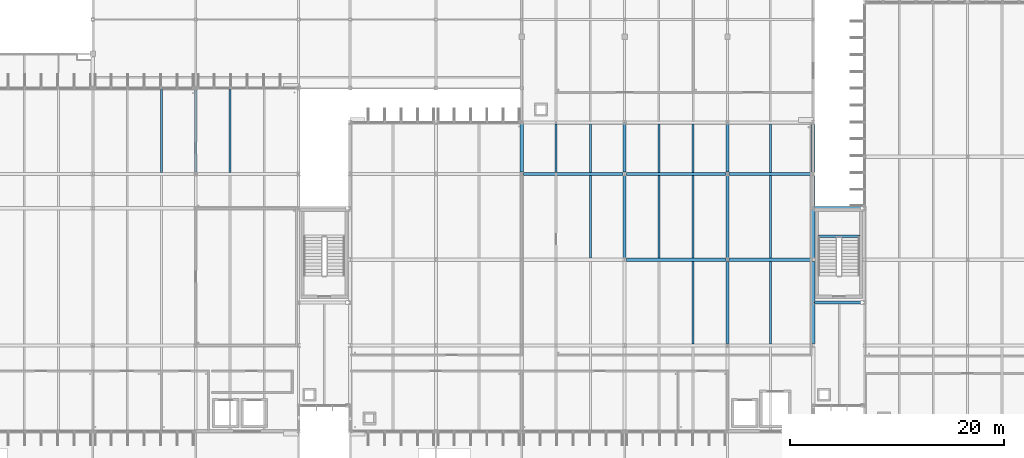
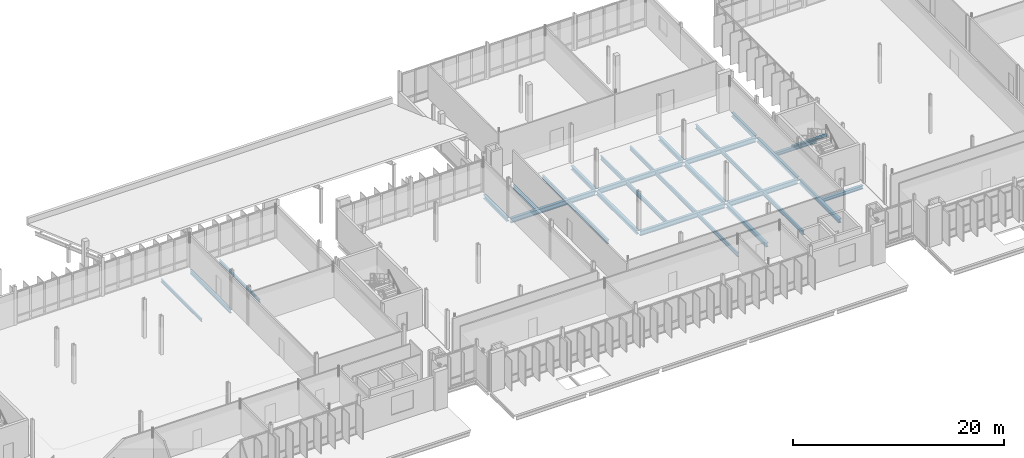
# One storey, part 30 of 107: 31 beams.
"""IFC4 building model written with IfcOpenShell, lengths in metres."""

from ifc_helpers import new_model, si_unit, direction, frame, origin, origin_2d, place, context, subcontext, project, spatial, i_section, extrude, material, material_profile, profile_set, type_object, element, save


model = new_model("IFC4")

# Units and contexts
model_context = context("Model", 3, precision=1e-05, world=origin(), true_north=direction((0.0, 1.0)))
body_context = subcontext(model_context, "Body", "Model", "MODEL_VIEW")
ifc_project = project(units=[si_unit("LENGTHUNIT", "METRE"), si_unit("AREAUNIT", "SQUARE_METRE"), si_unit("VOLUMEUNIT", "CUBIC_METRE"), si_unit("PLANEANGLEUNIT", "RADIAN"), si_unit("MASSUNIT", "GRAM", prefix="KILO")], contexts=[model_context])

# Site, building, storey
site_placement = place(None, origin())
site = spatial("IfcSite", under=ifc_project, at=site_placement, CompositionType="ELEMENT")
building_placement = place(site_placement, origin())
building = spatial("IfcBuilding", under=site, at=building_placement, Name="Dunescarp Central Library", CompositionType="ELEMENT")
storey_placement = place(building_placement, frame((0.0, 0.0, 5.10009765625)))
storey = spatial("IfcBuildingStorey", under=building, at=storey_placement, Name="L01", CompositionType="ELEMENT", Elevation=5.10009765625)

# Beams
ifc_material = material(Name="Steel S355JR", Category="steel")
ifc_material_profile_1 = material_profile(ifc_material, i_section(OverallWidth=0.300048828125, OverallDepth=0.389892578125, WebThickness=0.010986328125, FlangeThickness=0.01904296875, at=origin_2d()), Name="HEA 400")
ifc_profile_set_1 = profile_set([ifc_material_profile_1], Name="Steel S355JR")
beam_type_1 = type_object("IfcBeamType", Name="STR-BM-HEA400", PredefinedType="BEAM", material=ifc_profile_set_1)
for number, where, z_axis, x_axis, name in (
    (1, (124.927978515625, 16.800048828125, -0.4150390625), (1.0, 0.0, 0.0), (0.0, 1.0, 0.0), "L01 girder BM-L01-1258"),
    (2, (124.927978515625, 25.60009765625, -0.4150390625), (1.0, 0.0, 0.0), (0.0, 1.0, 0.0), "L01 girder BM-L01-1260"),
):
    element("IfcBeam", number, at=place(storey_placement, frame(where, z_axis=z_axis, x_axis=x_axis)), inside=storey, type_object=beam_type_1, Name=name, PredefinedType="BEAM", context=body_context, shape_type="SweptSolid", body=[
        extrude(i_section(OverallWidth=0.300048828125, OverallDepth=0.389892578125, WebThickness=0.010986328125, FlangeThickness=0.01904296875, at=origin_2d()), origin(), (0.0, 0.0, 1.0), 4.547119140625),
    ])
ifc_material_profile_2 = material_profile(ifc_material, i_section(OverallWidth=0.300048828125, OverallDepth=0.449951171875, WebThickness=0.013916015625, FlangeThickness=0.02587890625, at=origin_2d()), Name="HEB 450")
ifc_profile_set_2 = profile_set([ifc_material_profile_2], Name="Steel S355JR")
beam_type_2 = type_object("IfcBeamType", Name="STR-BM-HEB450", PredefinedType="BEAM", material=ifc_profile_set_2)
beam_1_placement = place(storey_placement, frame((97.60009765625, 28.967041015625, -0.445068359375), z_axis=(0.0, 1.0, 0.0), x_axis=(-1.0, 0.0, 0.0)))
element("IfcBeam", 3, at=beam_1_placement, inside=storey, type_object=beam_type_2, Name="L01 girder BM-L01-0683", PredefinedType="BEAM", context=body_context, shape_type="SweptSolid", body=[
    extrude(i_section(OverallWidth=0.300048828125, OverallDepth=0.449951171875, WebThickness=0.013916015625, FlangeThickness=0.02587890625, at=origin_2d()), origin(), (0.0, 0.0, 1.0), 4.466064453125),
])
beam_2_placement = place(storey_placement, frame((107.199951171875, 20.967041015625, -0.445068359375), z_axis=(0.0, 1.0, 0.0), x_axis=(-1.0, 0.0, 0.0)))
element("IfcBeam", 4, at=beam_2_placement, inside=storey, type_object=beam_type_2, Name="L01 girder BM-L01-0695", PredefinedType="BEAM", context=body_context, shape_type="SweptSolid", body=[
    extrude(i_section(OverallWidth=0.300048828125, OverallDepth=0.449951171875, WebThickness=0.013916015625, FlangeThickness=0.02587890625, at=origin_2d()), origin(), (0.0, 0.0, 1.0), 7.666015625),
])
beam_3_placement = place(storey_placement, frame((107.199951171875, 28.967041015625, -0.445068359375), z_axis=(0.0, 1.0, 0.0), x_axis=(-1.0, 0.0, 0.0)))
element("IfcBeam", 5, at=beam_3_placement, inside=storey, type_object=beam_type_2, Name="L01 girder BM-L01-0699", PredefinedType="BEAM", context=body_context, shape_type="SweptSolid", body=[
    extrude(i_section(OverallWidth=0.300048828125, OverallDepth=0.449951171875, WebThickness=0.013916015625, FlangeThickness=0.02587890625, at=origin_2d()), origin(), (0.0, 0.0, 1.0), 4.466064453125),
])
for number, where, z_axis, x_axis, name in (
    (6, (116.800048828125, 12.967041015625, -0.445068359375), (0.0, 1.0, 0.0), (-1.0, 0.0, 0.0), "L01 girder BM-L01-0708"),
    (7, (116.800048828125, 20.967041015625, -0.445068359375), (0.0, 1.0, 0.0), (-1.0, 0.0, 0.0), "L01 girder BM-L01-0712"),
):
    element("IfcBeam", number, at=place(storey_placement, frame(where, z_axis=z_axis, x_axis=x_axis)), inside=storey, type_object=beam_type_2, Name=name, PredefinedType="BEAM", context=body_context, shape_type="SweptSolid", body=[
        extrude(i_section(OverallWidth=0.300048828125, OverallDepth=0.449951171875, WebThickness=0.013916015625, FlangeThickness=0.02587890625, at=origin_2d()), origin(), (0.0, 0.0, 1.0), 7.666015625),
    ])
beam_4_placement = place(storey_placement, frame((116.800048828125, 28.967041015625, -0.445068359375), z_axis=(0.0, 1.0, 0.0), x_axis=(-1.0, 0.0, 0.0)))
element("IfcBeam", 8, at=beam_4_placement, inside=storey, type_object=beam_type_2, Name="L01 girder BM-L01-0716", PredefinedType="BEAM", context=body_context, shape_type="SweptSolid", body=[
    extrude(i_section(OverallWidth=0.300048828125, OverallDepth=0.449951171875, WebThickness=0.013916015625, FlangeThickness=0.02587890625, at=origin_2d()), origin(), (0.0, 0.0, 1.0), 4.466064453125),
])
for number, where, z_axis, x_axis, name in (
    (9, (124.800048828125, 12.967041015625, -0.445068359375), (0.0, 1.0, 0.0), (-1.0, 0.0, 0.0), "L01 girder BM-L01-0724"),
    (10, (124.800048828125, 20.967041015625, -0.445068359375), (0.0, 1.0, 0.0), (-1.0, 0.0, 0.0), "L01 girder BM-L01-0727"),
):
    element("IfcBeam", number, at=place(storey_placement, frame(where, z_axis=z_axis, x_axis=x_axis)), inside=storey, type_object=beam_type_2, Name=name, PredefinedType="BEAM", context=body_context, shape_type="SweptSolid", body=[
        extrude(i_section(OverallWidth=0.300048828125, OverallDepth=0.449951171875, WebThickness=0.013916015625, FlangeThickness=0.02587890625, at=origin_2d()), origin(), (0.0, 0.0, 1.0), 7.666015625),
    ])
beam_5_placement = place(storey_placement, frame((124.800048828125, 28.967041015625, -0.445068359375), z_axis=(0.0, 1.0, 0.0), x_axis=(-1.0, 0.0, 0.0)))
element("IfcBeam", 11, at=beam_5_placement, inside=storey, type_object=beam_type_2, Name="L01 girder BM-L01-0730", PredefinedType="BEAM", context=body_context, shape_type="SweptSolid", body=[
    extrude(i_section(OverallWidth=0.300048828125, OverallDepth=0.449951171875, WebThickness=0.013916015625, FlangeThickness=0.02587890625, at=origin_2d()), origin(), (0.0, 0.0, 1.0), 4.466064453125),
])
ifc_material_profile_3 = material_profile(ifc_material, i_section(OverallWidth=0.300048828125, OverallDepth=0.550048828125, WebThickness=0.014892578125, FlangeThickness=0.029052734375, at=origin_2d()), Name="HEB 550")
ifc_profile_set_3 = profile_set([ifc_material_profile_3], Name="Steel S355JR")
beam_type_3 = type_object("IfcBeamType", Name="STR-BM-HEB550", PredefinedType="BEAM", material=ifc_profile_set_3)
for number, where, z_axis, x_axis, name in (
    (12, (97.75390625, 28.800048828125, -0.4951171875), (1.0, 0.0, 0.0), (0.0, 1.0, 0.0), "L01 girder BM-L01-0694"),
    (13, (107.35400390625, 20.800048828125, -0.4951171875), (1.0, 0.0, 0.0), (0.0, 1.0, 0.0), "L01 girder BM-L01-0707"),
    (14, (107.35400390625, 28.800048828125, -0.4951171875), (1.0, 0.0, 0.0), (0.0, 1.0, 0.0), "L01 girder BM-L01-0711"),
):
    element("IfcBeam", number, at=place(storey_placement, frame(where, z_axis=z_axis, x_axis=x_axis)), inside=storey, type_object=beam_type_3, Name=name, PredefinedType="BEAM", context=body_context, shape_type="SweptSolid", body=[
        extrude(i_section(OverallWidth=0.300048828125, OverallDepth=0.550048828125, WebThickness=0.014892578125, FlangeThickness=0.029052734375, at=origin_2d()), origin(), (0.0, 0.0, 1.0), 9.2919921875),
    ])
for number, where, z_axis, x_axis, name in (
    (15, (116.9541015625, 20.800048828125, -0.4951171875), (1.0, 0.0, 0.0), (0.0, 1.0, 0.0), "L01 girder BM-L01-0723"),
    (16, (116.9541015625, 28.800048828125, -0.4951171875), (1.0, 0.0, 0.0), (0.0, 1.0, 0.0), "L01 girder BM-L01-0726"),
):
    element("IfcBeam", number, at=place(storey_placement, frame(where, z_axis=z_axis, x_axis=x_axis)), inside=storey, type_object=beam_type_3, Name=name, PredefinedType="BEAM", context=body_context, shape_type="SweptSolid", body=[
        extrude(i_section(OverallWidth=0.300048828125, OverallDepth=0.550048828125, WebThickness=0.014892578125, FlangeThickness=0.029052734375, at=origin_2d()), origin(), (0.0, 0.0, 1.0), 7.69189453125),
    ])
ifc_material_profile_4 = material_profile(ifc_material, i_section(OverallWidth=0.19287109375, OverallDepth=0.46728515625, WebThickness=0.011474609375, FlangeThickness=0.01953125, at=origin_2d()), Name="UB 457x191x98")
ifc_profile_set_4 = profile_set([ifc_material_profile_4], Name="Steel S355JR")
beam_type_4 = type_object("IfcBeamType", Name="STR-BM-IPE450", PredefinedType="BEAM", material=ifc_profile_set_4)
beam_6_placement = place(storey_placement, frame((67.199951171875, 28.9609375, -0.4541015625), z_axis=(0.0, 1.0, 0.0), x_axis=(-1.0, 0.0, 0.0)))
element("IfcBeam", 17, at=beam_6_placement, inside=storey, type_object=beam_type_4, Name="L01 girder BM-L01-0383", PredefinedType="BEAM", context=body_context, shape_type="SweptSolid", body=[
    extrude(i_section(OverallWidth=0.19287109375, OverallDepth=0.46728515625, WebThickness=0.011474609375, FlangeThickness=0.01953125, at=origin_2d()), origin(), (0.0, 0.0, 1.0), 7.672119140625),
])
ifc_material_profile_5 = material_profile(ifc_material, i_section(OverallWidth=0.239990234375, OverallDepth=0.22998046875, WebThickness=0.007568359375, FlangeThickness=0.011962890625, at=origin_2d()), Name="HEA 240")
ifc_profile_set_5 = profile_set([ifc_material_profile_5], Name="Steel S355JR")
beam_type_5 = type_object("IfcBeamType", Name="STR-JS-HEA240", PredefinedType="JOIST", material=ifc_profile_set_5)
beam_7_placement = place(storey_placement, frame((125.260009765625, 22.97998046875, 1.934814453125), z_axis=(1.0, 0.0, 0.0), x_axis=(0.0, 1.0, 0.0)))
element("IfcBeam", 18, at=beam_7_placement, inside=storey, type_object=beam_type_5, Name="L01 ST-5 landing trimmer beam BM-ST-024", PredefinedType="BEAM", context=body_context, shape_type="SweptSolid", body=[
    extrude(i_section(OverallWidth=0.239990234375, OverallDepth=0.22998046875, WebThickness=0.007568359375, FlangeThickness=0.011962890625, at=origin_2d()), origin(), (0.0, 0.0, 1.0), 3.8798828125),
])
ifc_material_profile_6 = material_profile(ifc_material, i_section(OverallWidth=0.159912109375, OverallDepth=0.330078125, WebThickness=0.007568359375, FlangeThickness=0.011474609375, at=origin_2d()), Name="IPE 330")
ifc_profile_set_6 = profile_set([ifc_material_profile_6], Name="Steel S355JR")
beam_type_6 = type_object("IfcBeamType", Name="STR-JS-IPE330", PredefinedType="JOIST", material=ifc_profile_set_6)
for number, where, z_axis, x_axis, name in (
    (19, (64.0, 28.947998046875, -0.385009765625), (0.0, 1.0, 0.0), (-1.0, 0.0, 0.0), "L01 joist JS-L01-0385"),
    (20, (70.39990234375, 28.947998046875, -0.385009765625), (0.0, 1.0, 0.0), (-1.0, 0.0, 0.0), "L01 joist JS-L01-0401"),
):
    element("IfcBeam", number, at=place(storey_placement, frame(where, z_axis=z_axis, x_axis=x_axis)), inside=storey, type_object=beam_type_6, Name=name, PredefinedType="JOIST", context=body_context, shape_type="SweptSolid", body=[
        extrude(i_section(OverallWidth=0.159912109375, OverallDepth=0.330078125, WebThickness=0.007568359375, FlangeThickness=0.011474609375, at=origin_2d()), origin(), (0.0, 0.0, 1.0), 7.7041015625),
    ])
ifc_material_profile_7 = material_profile(ifc_material, i_section(OverallWidth=0.18994140625, OverallDepth=0.449951171875, WebThickness=0.009521484375, FlangeThickness=0.0146484375, at=origin_2d()), Name="IPE 450")
ifc_profile_set_7 = profile_set([ifc_material_profile_7], Name="Steel S355JR")
beam_type_7 = type_object("IfcBeamType", Name="STR-JS-IPE450", PredefinedType="JOIST", material=ifc_profile_set_7)
beam_8_placement = place(storey_placement, frame((104.0, 20.947998046875, -0.445068359375), z_axis=(0.0, 1.0, 0.0), x_axis=(-1.0, 0.0, 0.0)))
element("IfcBeam", 21, at=beam_8_placement, inside=storey, type_object=beam_type_7, Name="L01 joist JS-L01-0697", PredefinedType="JOIST", context=body_context, shape_type="SweptSolid", body=[
    extrude(i_section(OverallWidth=0.18994140625, OverallDepth=0.449951171875, WebThickness=0.009521484375, FlangeThickness=0.0146484375, at=origin_2d()), origin(), (0.0, 0.0, 1.0), 7.7041015625),
])
for number, where, z_axis, x_axis, name in (
    (22, (100.800048828125, 28.947998046875, -0.445068359375), (0.0, 1.0, 0.0), (-1.0, 0.0, 0.0), "L01 joist JS-L01-0700"),
    (23, (104.0, 28.947998046875, -0.445068359375), (0.0, 1.0, 0.0), (-1.0, 0.0, 0.0), "L01 joist JS-L01-0701"),
):
    element("IfcBeam", number, at=place(storey_placement, frame(where, z_axis=z_axis, x_axis=x_axis)), inside=storey, type_object=beam_type_7, Name=name, PredefinedType="JOIST", context=body_context, shape_type="SweptSolid", body=[
        extrude(i_section(OverallWidth=0.18994140625, OverallDepth=0.449951171875, WebThickness=0.009521484375, FlangeThickness=0.0146484375, at=origin_2d()), origin(), (0.0, 0.0, 1.0), 4.50390625),
    ])
for number, where, z_axis, x_axis, name in (
    (24, (113.60009765625, 12.947998046875, -0.445068359375), (0.0, 1.0, 0.0), (-1.0, 0.0, 0.0), "L01 joist JS-L01-0710"),
    (25, (110.39990234375, 20.947998046875, -0.445068359375), (0.0, 1.0, 0.0), (-1.0, 0.0, 0.0), "L01 joist JS-L01-0713"),
    (26, (113.60009765625, 20.947998046875, -0.445068359375), (0.0, 1.0, 0.0), (-1.0, 0.0, 0.0), "L01 joist JS-L01-0714"),
):
    element("IfcBeam", number, at=place(storey_placement, frame(where, z_axis=z_axis, x_axis=x_axis)), inside=storey, type_object=beam_type_7, Name=name, PredefinedType="JOIST", context=body_context, shape_type="SweptSolid", body=[
        extrude(i_section(OverallWidth=0.18994140625, OverallDepth=0.449951171875, WebThickness=0.009521484375, FlangeThickness=0.0146484375, at=origin_2d()), origin(), (0.0, 0.0, 1.0), 7.7041015625),
    ])
for number, where, z_axis, x_axis, name in (
    (27, (110.39990234375, 28.947998046875, -0.445068359375), (0.0, 1.0, 0.0), (-1.0, 0.0, 0.0), "L01 joist JS-L01-0717"),
    (28, (113.60009765625, 28.947998046875, -0.445068359375), (0.0, 1.0, 0.0), (-1.0, 0.0, 0.0), "L01 joist JS-L01-0718"),
):
    element("IfcBeam", number, at=place(storey_placement, frame(where, z_axis=z_axis, x_axis=x_axis)), inside=storey, type_object=beam_type_7, Name=name, PredefinedType="JOIST", context=body_context, shape_type="SweptSolid", body=[
        extrude(i_section(OverallWidth=0.18994140625, OverallDepth=0.449951171875, WebThickness=0.009521484375, FlangeThickness=0.0146484375, at=origin_2d()), origin(), (0.0, 0.0, 1.0), 4.50390625),
    ])
for number, where, z_axis, x_axis, name in (
    (29, (120.800048828125, 12.947998046875, -0.445068359375), (0.0, 1.0, 0.0), (-1.0, 0.0, 0.0), "L01 joist JS-L01-0725"),
    (30, (120.800048828125, 20.947998046875, -0.445068359375), (0.0, 1.0, 0.0), (-1.0, 0.0, 0.0), "L01 joist JS-L01-0728"),
):
    element("IfcBeam", number, at=place(storey_placement, frame(where, z_axis=z_axis, x_axis=x_axis)), inside=storey, type_object=beam_type_7, Name=name, PredefinedType="JOIST", context=body_context, shape_type="SweptSolid", body=[
        extrude(i_section(OverallWidth=0.18994140625, OverallDepth=0.449951171875, WebThickness=0.009521484375, FlangeThickness=0.0146484375, at=origin_2d()), origin(), (0.0, 0.0, 1.0), 7.7041015625),
    ])
beam_9_placement = place(storey_placement, frame((120.800048828125, 28.947998046875, -0.445068359375), z_axis=(0.0, 1.0, 0.0), x_axis=(-1.0, 0.0, 0.0)))
element("IfcBeam", 31, at=beam_9_placement, inside=storey, type_object=beam_type_7, Name="L01 joist JS-L01-0731", PredefinedType="JOIST", context=body_context, shape_type="SweptSolid", body=[
    extrude(i_section(OverallWidth=0.18994140625, OverallDepth=0.449951171875, WebThickness=0.009521484375, FlangeThickness=0.0146484375, at=origin_2d()), origin(), (0.0, 0.0, 1.0), 4.50390625),
])

save(model, "model.ifc")
